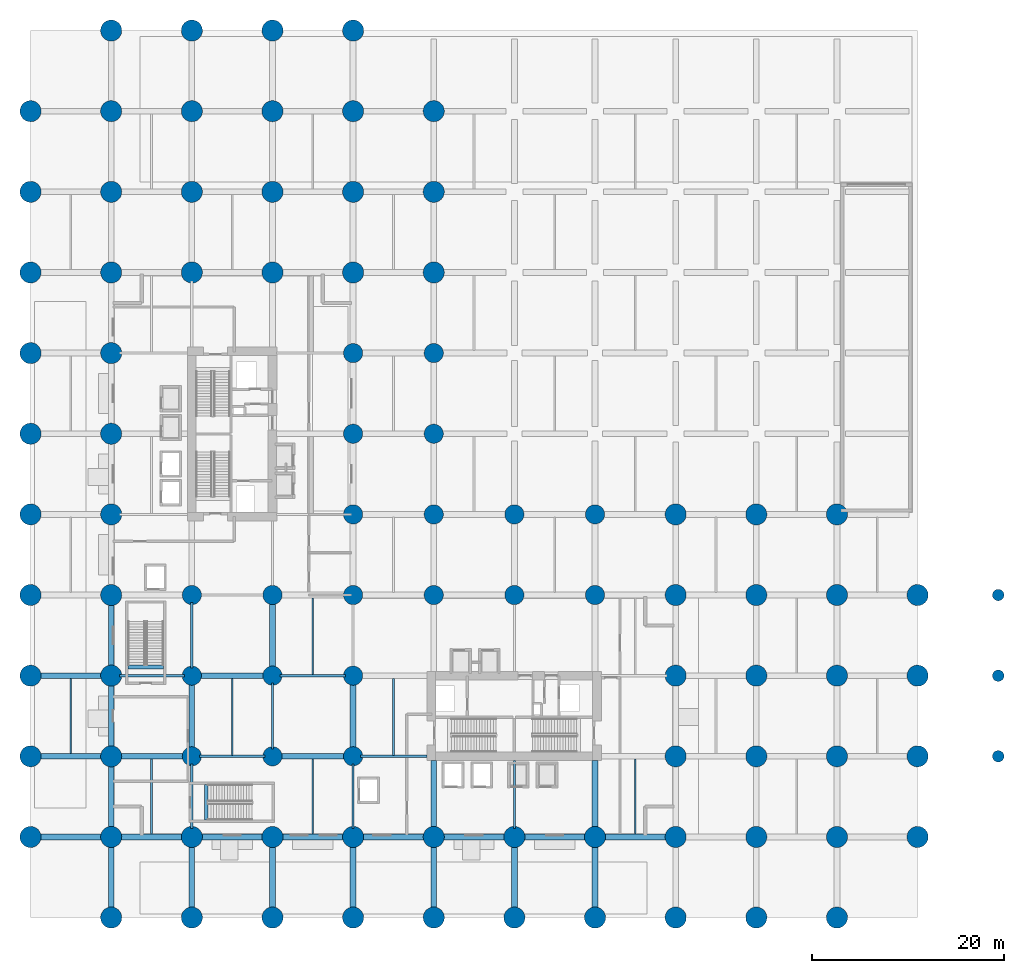
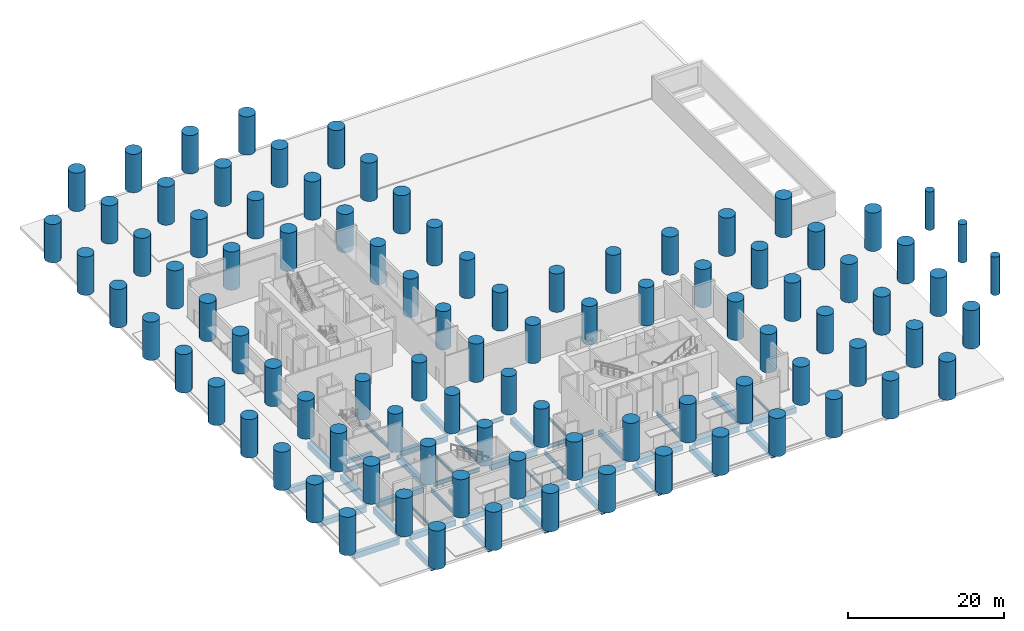
# One storey, part 1 of 13: 94 columns, 46 beams.
"""IFC4 building model written with IfcOpenShell, lengths in metres."""

from ifc_helpers import new_model, si_unit, direction, frame, origin, origin_2d, place, context, subcontext, project, spatial, rectangle, circle, i_section, extrude, material, material_profile, profile_set, type_object, element, save


model = new_model("IFC4")

# Units and contexts
model_context = context("Model", 3, precision=1e-05, world=origin(), true_north=direction((0.0, 1.0)))
body_context = subcontext(model_context, "Body", "Model", "MODEL_VIEW")
ifc_project = project(units=[si_unit("LENGTHUNIT", "METRE"), si_unit("AREAUNIT", "SQUARE_METRE"), si_unit("VOLUMEUNIT", "CUBIC_METRE"), si_unit("PLANEANGLEUNIT", "RADIAN"), si_unit("MASSUNIT", "GRAM", prefix="KILO")], contexts=[model_context])

# Site, building, storey
site_placement = place(None, origin())
site = spatial("IfcSite", under=ifc_project, at=site_placement, CompositionType="ELEMENT")
building_placement = place(site_placement, origin())
building = spatial("IfcBuilding", under=site, at=building_placement, Name="Koriwani Terraces Tower", CompositionType="ELEMENT")
storey_placement = place(building_placement, origin())
storey = spatial("IfcBuildingStorey", under=building, at=storey_placement, Name="L00", CompositionType="ELEMENT", Elevation=0.0)

# Columns
ifc_material_1 = material(Name="Concrete C50/60", Category="concrete")
ifc_material_profile_1 = material_profile(ifc_material_1, circle(Radius=0.60009765625, at=origin_2d()), Name="Concrete C50/60", Category="LoadBearing")
ifc_profile_set_1 = profile_set([ifc_material_profile_1], Name="Concrete C50/60")
column_type_1 = type_object("IfcColumnType", Name="COL_RC_1200_RND", PredefinedType="COLUMN", material=ifc_profile_set_1)
for number, where, z_axis, x_axis, name in (
    (1, (100.800048828125, 16.800048828125, 0.0), (0.0, 0.0, 1.0), (1.0, 0.0, 0.0), "L00 Porte-Cochere Column PC-1"),
    (2, (100.800048828125, 25.199951171875, 0.0), (0.0, 0.0, 1.0), (1.0, 0.0, 0.0), "L00 Porte-Cochere Column PC-2"),
    (3, (100.800048828125, 33.60009765625, 0.0), (0.0, 0.0, 1.0), (1.0, 0.0, 0.0), "L00 Porte-Cochere Column PC-3"),
):
    element("IfcColumn", number, at=place(storey_placement, frame(where, z_axis=z_axis, x_axis=x_axis)), inside=storey, type_object=column_type_1, Name=name, PredefinedType="COLUMN", context=body_context, shape_type="SweptSolid", body=[
        extrude(circle(Radius=0.60009765625, at=origin_2d()), origin(), (0.0, 0.0, 1.0), 6.0),
    ])
ifc_material_2 = material(Name="Concrete C60/75", Category="concrete")
ifc_material_profile_2 = material_profile(ifc_material_2, circle(Radius=1.0, at=origin_2d()), Name="Concrete C60/75", Category="LoadBearing")
ifc_profile_set_2 = profile_set([ifc_material_profile_2], Name="Concrete C60/75")
column_type_2 = type_object("IfcColumnType", Name="PILOTIS_2000", PredefinedType="USERDEFINED", material=ifc_profile_set_2)
for number, where, z_axis, x_axis, name in (
    (4, (16.800048828125, 16.800048828125, 0.0), (0.0, 0.0, 1.0), (1.0, 0.0, 0.0), "L00 Pilotis Column 3/C"),
    (5, (16.800048828125, 25.199951171875, 0.0), (0.0, 0.0, 1.0), (1.0, 0.0, 0.0), "L00 Pilotis Column 3/D"),
    (6, (16.800048828125, 33.60009765625, 0.0), (0.0, 0.0, 1.0), (1.0, 0.0, 0.0), "L00 Pilotis Column 3/E"),
    (7, (25.199951171875, 16.800048828125, 0.0), (0.0, 0.0, 1.0), (1.0, 0.0, 0.0), "L00 Pilotis Column 4/C"),
    (8, (25.199951171875, 25.199951171875, 0.0), (0.0, 0.0, 1.0), (1.0, 0.0, 0.0), "L00 Pilotis Column 4/D"),
    (9, (25.199951171875, 33.60009765625, 0.0), (0.0, 0.0, 1.0), (1.0, 0.0, 0.0), "L00 Pilotis Column 4/E"),
    (10, (33.60009765625, 16.800048828125, 0.0), (0.0, 0.0, 1.0), (1.0, 0.0, 0.0), "L00 Pilotis Column 5/C"),
    (11, (33.60009765625, 25.199951171875, 0.0), (0.0, 0.0, 1.0), (1.0, 0.0, 0.0), "L00 Pilotis Column 5/D"),
    (12, (33.60009765625, 33.60009765625, 0.0), (0.0, 0.0, 1.0), (1.0, 0.0, 0.0), "L00 Pilotis Column 5/E"),
    (13, (33.60009765625, 42.0, 0.0), (0.0, 0.0, 1.0), (1.0, 0.0, 0.0), "L00 Pilotis Column 5/F"),
    (14, (33.60009765625, 50.39990234375, 0.0), (0.0, 0.0, 1.0), (1.0, 0.0, 0.0), "L00 Pilotis Column 5/G"),
    (15, (33.60009765625, 58.800048828125, 0.0), (0.0, 0.0, 1.0), (1.0, 0.0, 0.0), "L00 Pilotis Column 5/H"),
    (16, (42.0, 33.60009765625, 0.0), (0.0, 0.0, 1.0), (1.0, 0.0, 0.0), "L00 Pilotis Column 6/E"),
    (17, (42.0, 42.0, 0.0), (0.0, 0.0, 1.0), (1.0, 0.0, 0.0), "L00 Pilotis Column 6/F"),
    (18, (42.0, 50.39990234375, 0.0), (0.0, 0.0, 1.0), (1.0, 0.0, 0.0), "L00 Pilotis Column 6/G"),
    (19, (42.0, 58.800048828125, 0.0), (0.0, 0.0, 1.0), (1.0, 0.0, 0.0), "L00 Pilotis Column 6/H"),
    (20, (50.39990234375, 33.60009765625, 0.0), (0.0, 0.0, 1.0), (1.0, 0.0, 0.0), "L00 Pilotis Column 7/E"),
    (21, (50.39990234375, 42.0, 0.0), (0.0, 0.0, 1.0), (1.0, 0.0, 0.0), "L00 Pilotis Column 7/F"),
    (22, (58.800048828125, 33.60009765625, 0.0), (0.0, 0.0, 1.0), (1.0, 0.0, 0.0), "L00 Pilotis Column 8/E"),
    (23, (58.800048828125, 42.0, 0.0), (0.0, 0.0, 1.0), (1.0, 0.0, 0.0), "L00 Pilotis Column 8/F"),
):
    element("IfcColumn", number, at=place(storey_placement, frame(where, z_axis=z_axis, x_axis=x_axis)), inside=storey, type_object=column_type_2, Name=name, ObjectType="PILOTIS", PredefinedType="USERDEFINED", context=body_context, shape_type="SweptSolid", body=[
        extrude(circle(Radius=1.0, at=origin_2d()), origin(), (0.0, 0.0, 1.0), 6.0),
    ])
ifc_material_profile_3 = material_profile(ifc_material_2, circle(Radius=1.10009765625, at=origin_2d()), Name="Concrete C60/75", Category="LoadBearing")
ifc_profile_set_3 = profile_set([ifc_material_profile_3], Name="Concrete C60/75")
column_type_3 = type_object("IfcColumnType", Name="PILOTIS_2200", PredefinedType="USERDEFINED", material=ifc_profile_set_3)
for number, where, z_axis, x_axis, name in (
    (24, (0.0, 8.39990234375, 0.0), (0.0, 0.0, 1.0), (1.0, 0.0, 0.0), "L00 Pilotis Column 1/B"),
    (25, (0.0, 16.800048828125, 0.0), (0.0, 0.0, 1.0), (1.0, 0.0, 0.0), "L00 Pilotis Column 1/C"),
    (26, (0.0, 25.199951171875, 0.0), (0.0, 0.0, 1.0), (1.0, 0.0, 0.0), "L00 Pilotis Column 1/D"),
    (27, (0.0, 33.60009765625, 0.0), (0.0, 0.0, 1.0), (1.0, 0.0, 0.0), "L00 Pilotis Column 1/E"),
    (28, (0.0, 42.0, 0.0), (0.0, 0.0, 1.0), (1.0, 0.0, 0.0), "L00 Pilotis Column 1/F"),
    (29, (0.0, 50.39990234375, 0.0), (0.0, 0.0, 1.0), (1.0, 0.0, 0.0), "L00 Pilotis Column 1/G"),
    (30, (0.0, 58.800048828125, 0.0), (0.0, 0.0, 1.0), (1.0, 0.0, 0.0), "L00 Pilotis Column 1/H"),
    (31, (0.0, 67.199951171875, 0.0), (0.0, 0.0, 1.0), (1.0, 0.0, 0.0), "L00 Pilotis Column 1/I"),
    (32, (0.0, 75.60009765625, 0.0), (0.0, 0.0, 1.0), (1.0, 0.0, 0.0), "L00 Pilotis Column 1/J"),
    (33, (0.0, 84.0, 0.0), (0.0, 0.0, 1.0), (1.0, 0.0, 0.0), "L00 Pilotis Column 1/K"),
    (34, (8.39990234375, 0.0, 0.0), (0.0, 0.0, 1.0), (1.0, 0.0, 0.0), "L00 Pilotis Column 2/A"),
    (35, (8.39990234375, 8.39990234375, 0.0), (0.0, 0.0, 1.0), (1.0, 0.0, 0.0), "L00 Pilotis Column 2/B"),
    (36, (8.39990234375, 16.800048828125, 0.0), (0.0, 0.0, 1.0), (1.0, 0.0, 0.0), "L00 Pilotis Column 2/C"),
    (37, (8.39990234375, 25.199951171875, 0.0), (0.0, 0.0, 1.0), (1.0, 0.0, 0.0), "L00 Pilotis Column 2/D"),
    (38, (8.39990234375, 33.60009765625, 0.0), (0.0, 0.0, 1.0), (1.0, 0.0, 0.0), "L00 Pilotis Column 2/E"),
    (39, (8.39990234375, 42.0, 0.0), (0.0, 0.0, 1.0), (1.0, 0.0, 0.0), "L00 Pilotis Column 2/F"),
    (40, (8.39990234375, 50.39990234375, 0.0), (0.0, 0.0, 1.0), (1.0, 0.0, 0.0), "L00 Pilotis Column 2/G"),
    (41, (8.39990234375, 58.800048828125, 0.0), (0.0, 0.0, 1.0), (1.0, 0.0, 0.0), "L00 Pilotis Column 2/H"),
    (42, (8.39990234375, 67.199951171875, 0.0), (0.0, 0.0, 1.0), (1.0, 0.0, 0.0), "L00 Pilotis Column 2/I"),
    (43, (8.39990234375, 75.60009765625, 0.0), (0.0, 0.0, 1.0), (1.0, 0.0, 0.0), "L00 Pilotis Column 2/J"),
    (44, (8.39990234375, 84.0, 0.0), (0.0, 0.0, 1.0), (1.0, 0.0, 0.0), "L00 Pilotis Column 2/K"),
    (45, (8.39990234375, 92.39990234375, 0.0), (0.0, 0.0, 1.0), (1.0, 0.0, 0.0), "L00 Pilotis Column 2/L"),
    (46, (16.800048828125, 0.0, 0.0), (0.0, 0.0, 1.0), (1.0, 0.0, 0.0), "L00 Pilotis Column 3/A"),
    (47, (16.800048828125, 8.39990234375, 0.0), (0.0, 0.0, 1.0), (1.0, 0.0, 0.0), "L00 Pilotis Column 3/B"),
    (48, (16.800048828125, 67.199951171875, 0.0), (0.0, 0.0, 1.0), (1.0, 0.0, 0.0), "L00 Pilotis Column 3/I"),
    (49, (16.800048828125, 75.60009765625, 0.0), (0.0, 0.0, 1.0), (1.0, 0.0, 0.0), "L00 Pilotis Column 3/J"),
    (50, (16.800048828125, 84.0, 0.0), (0.0, 0.0, 1.0), (1.0, 0.0, 0.0), "L00 Pilotis Column 3/K"),
    (51, (16.800048828125, 92.39990234375, 0.0), (0.0, 0.0, 1.0), (1.0, 0.0, 0.0), "L00 Pilotis Column 3/L"),
    (52, (25.199951171875, 0.0, 0.0), (0.0, 0.0, 1.0), (1.0, 0.0, 0.0), "L00 Pilotis Column 4/A"),
    (53, (25.199951171875, 8.39990234375, 0.0), (0.0, 0.0, 1.0), (1.0, 0.0, 0.0), "L00 Pilotis Column 4/B"),
    (54, (25.199951171875, 67.199951171875, 0.0), (0.0, 0.0, 1.0), (1.0, 0.0, 0.0), "L00 Pilotis Column 4/I"),
    (55, (25.199951171875, 75.60009765625, 0.0), (0.0, 0.0, 1.0), (1.0, 0.0, 0.0), "L00 Pilotis Column 4/J"),
    (56, (25.199951171875, 84.0, 0.0), (0.0, 0.0, 1.0), (1.0, 0.0, 0.0), "L00 Pilotis Column 4/K"),
    (57, (25.199951171875, 92.39990234375, 0.0), (0.0, 0.0, 1.0), (1.0, 0.0, 0.0), "L00 Pilotis Column 4/L"),
    (58, (33.60009765625, 0.0, 0.0), (0.0, 0.0, 1.0), (1.0, 0.0, 0.0), "L00 Pilotis Column 5/A"),
    (59, (33.60009765625, 8.39990234375, 0.0), (0.0, 0.0, 1.0), (1.0, 0.0, 0.0), "L00 Pilotis Column 5/B"),
    (60, (33.60009765625, 67.199951171875, 0.0), (0.0, 0.0, 1.0), (1.0, 0.0, 0.0), "L00 Pilotis Column 5/I"),
    (61, (33.60009765625, 75.60009765625, 0.0), (0.0, 0.0, 1.0), (1.0, 0.0, 0.0), "L00 Pilotis Column 5/J"),
    (62, (33.60009765625, 84.0, 0.0), (0.0, 0.0, 1.0), (1.0, 0.0, 0.0), "L00 Pilotis Column 5/K"),
    (63, (33.60009765625, 92.39990234375, 0.0), (0.0, 0.0, 1.0), (1.0, 0.0, 0.0), "L00 Pilotis Column 5/L"),
    (64, (42.0, 0.0, 0.0), (0.0, 0.0, 1.0), (1.0, 0.0, 0.0), "L00 Pilotis Column 6/A"),
    (65, (42.0, 8.39990234375, 0.0), (0.0, 0.0, 1.0), (1.0, 0.0, 0.0), "L00 Pilotis Column 6/B"),
    (66, (42.0, 67.199951171875, 0.0), (0.0, 0.0, 1.0), (1.0, 0.0, 0.0), "L00 Pilotis Column 6/I"),
    (67, (42.0, 75.60009765625, 0.0), (0.0, 0.0, 1.0), (1.0, 0.0, 0.0), "L00 Pilotis Column 6/J"),
    (68, (42.0, 84.0, 0.0), (0.0, 0.0, 1.0), (1.0, 0.0, 0.0), "L00 Pilotis Column 6/K"),
    (69, (50.39990234375, 0.0, 0.0), (0.0, 0.0, 1.0), (1.0, 0.0, 0.0), "L00 Pilotis Column 7/A"),
    (70, (50.39990234375, 8.39990234375, 0.0), (0.0, 0.0, 1.0), (1.0, 0.0, 0.0), "L00 Pilotis Column 7/B"),
    (71, (58.800048828125, 0.0, 0.0), (0.0, 0.0, 1.0), (1.0, 0.0, 0.0), "L00 Pilotis Column 8/A"),
    (72, (58.800048828125, 8.39990234375, 0.0), (0.0, 0.0, 1.0), (1.0, 0.0, 0.0), "L00 Pilotis Column 8/B"),
    (73, (67.199951171875, 0.0, 0.0), (0.0, 0.0, 1.0), (1.0, 0.0, 0.0), "L00 Pilotis Column 9/A"),
    (74, (67.199951171875, 8.39990234375, 0.0), (0.0, 0.0, 1.0), (1.0, 0.0, 0.0), "L00 Pilotis Column 9/B"),
    (75, (67.199951171875, 16.800048828125, 0.0), (0.0, 0.0, 1.0), (1.0, 0.0, 0.0), "L00 Pilotis Column 9/C"),
    (76, (67.199951171875, 25.199951171875, 0.0), (0.0, 0.0, 1.0), (1.0, 0.0, 0.0), "L00 Pilotis Column 9/D"),
    (77, (67.199951171875, 33.60009765625, 0.0), (0.0, 0.0, 1.0), (1.0, 0.0, 0.0), "L00 Pilotis Column 9/E"),
    (78, (67.199951171875, 42.0, 0.0), (0.0, 0.0, 1.0), (1.0, 0.0, 0.0), "L00 Pilotis Column 9/F"),
    (79, (75.60009765625, 0.0, 0.0), (0.0, 0.0, 1.0), (1.0, 0.0, 0.0), "L00 Pilotis Column 10/A"),
    (80, (75.60009765625, 8.39990234375, 0.0), (0.0, 0.0, 1.0), (1.0, 0.0, 0.0), "L00 Pilotis Column 10/B"),
    (81, (75.60009765625, 16.800048828125, 0.0), (0.0, 0.0, 1.0), (1.0, 0.0, 0.0), "L00 Pilotis Column 10/C"),
    (82, (75.60009765625, 25.199951171875, 0.0), (0.0, 0.0, 1.0), (1.0, 0.0, 0.0), "L00 Pilotis Column 10/D"),
    (83, (75.60009765625, 33.60009765625, 0.0), (0.0, 0.0, 1.0), (1.0, 0.0, 0.0), "L00 Pilotis Column 10/E"),
    (84, (75.60009765625, 42.0, 0.0), (0.0, 0.0, 1.0), (1.0, 0.0, 0.0), "L00 Pilotis Column 10/F"),
    (85, (84.0, 0.0, 0.0), (0.0, 0.0, 1.0), (1.0, 0.0, 0.0), "L00 Pilotis Column 11/A"),
    (86, (84.0, 8.39990234375, 0.0), (0.0, 0.0, 1.0), (1.0, 0.0, 0.0), "L00 Pilotis Column 11/B"),
    (87, (84.0, 16.800048828125, 0.0), (0.0, 0.0, 1.0), (1.0, 0.0, 0.0), "L00 Pilotis Column 11/C"),
    (88, (84.0, 25.199951171875, 0.0), (0.0, 0.0, 1.0), (1.0, 0.0, 0.0), "L00 Pilotis Column 11/D"),
    (89, (84.0, 33.60009765625, 0.0), (0.0, 0.0, 1.0), (1.0, 0.0, 0.0), "L00 Pilotis Column 11/E"),
    (90, (84.0, 42.0, 0.0), (0.0, 0.0, 1.0), (1.0, 0.0, 0.0), "L00 Pilotis Column 11/F"),
    (91, (92.39990234375, 8.39990234375, 0.0), (0.0, 0.0, 1.0), (1.0, 0.0, 0.0), "L00 Pilotis Column 12/B"),
    (92, (92.39990234375, 16.800048828125, 0.0), (0.0, 0.0, 1.0), (1.0, 0.0, 0.0), "L00 Pilotis Column 12/C"),
    (93, (92.39990234375, 25.199951171875, 0.0), (0.0, 0.0, 1.0), (1.0, 0.0, 0.0), "L00 Pilotis Column 12/D"),
    (94, (92.39990234375, 33.60009765625, 0.0), (0.0, 0.0, 1.0), (1.0, 0.0, 0.0), "L00 Pilotis Column 12/E"),
):
    element("IfcColumn", number, at=place(storey_placement, frame(where, z_axis=z_axis, x_axis=x_axis)), inside=storey, type_object=column_type_3, Name=name, ObjectType="PILOTIS", PredefinedType="USERDEFINED", context=body_context, shape_type="SweptSolid", body=[
        extrude(circle(Radius=1.10009765625, at=origin_2d()), origin(), (0.0, 0.0, 1.0), 6.0),
    ])

# Beams
ifc_material_3 = material(Name="Concrete C40/50", Category="concrete")
ifc_material_profile_4 = material_profile(ifc_material_3, rectangle(XDim=0.39990234375, YDim=0.60009765625, at=origin_2d()), Name="Concrete C40/50", Category="LoadBearing")
ifc_profile_set_4 = profile_set([ifc_material_profile_4], Name="Concrete C40/50")
beam_type_1 = type_object("IfcBeamType", Name="BEAM_RC_GRID_400X600", PredefinedType="BEAM", material=ifc_profile_set_4)
for number, where, z_axis, x_axis, name in (
    (95, (10.14990234375, 26.10498046875, -0.300048828125), (1.0, 0.0, 0.0), (0.0, 1.0, 0.0), "L00 Stairwell Header Trimmer Beam ST-P1"),
    (96, (18.304931640625, 10.14990234375, -0.300048828125), (0.0, 1.0, 0.0), (-1.0, 0.0, 0.0), "L00 Stairwell Header Trimmer Beam ST-P2"),
):
    element("IfcBeam", number, at=place(storey_placement, frame(where, z_axis=z_axis, x_axis=x_axis)), inside=storey, type_object=beam_type_1, Name=name, PredefinedType="BEAM", context=body_context, shape_type="SweptSolid", body=[
        extrude(rectangle(XDim=0.39990234375, YDim=0.60009765625, at=origin_2d()), origin(), (0.0, 0.0, 1.0), 3.7001953125),
    ])
ifc_material_profile_5 = material_profile(ifc_material_2, rectangle(XDim=0.60009765625, YDim=0.85009765625, at=origin_2d()), Name="Concrete C60/75", Category="LoadBearing")
ifc_profile_set_5 = profile_set([ifc_material_profile_5], Name="Concrete C60/75")
beam_type_2 = type_object("IfcBeamType", Name="BEAM_RC_GRID_600X850", PredefinedType="BEAM", material=ifc_profile_set_5)
beam_1_placement = place(storey_placement, frame((9.280029296875, 16.800048828125, -1.0048828125), z_axis=(1.0, 0.0, 0.0), x_axis=(0.0, 1.0, 0.0)))
element("IfcBeam", 97, at=beam_1_placement, inside=storey, type_object=beam_type_2, Name="L00 Grid Beam C (8.4-16.8m)", PredefinedType="BEAM", context=body_context, shape_type="SweptSolid", body=[
    extrude(rectangle(XDim=0.60009765625, YDim=0.85009765625, at=origin_2d()), origin(), (0.0, 0.0, 1.0), 6.739990234375),
])
beam_2_placement = place(storey_placement, frame((25.97998046875, 16.800048828125, -1.0048828125), z_axis=(1.0, 0.0, 0.0), x_axis=(0.0, 1.0, 0.0)))
element("IfcBeam", 98, at=beam_2_placement, inside=storey, type_object=beam_type_2, Name="L00 Grid Beam C (25.2-33.6m)", PredefinedType="BEAM", context=body_context, shape_type="SweptSolid", body=[
    extrude(rectangle(XDim=0.60009765625, YDim=0.85009765625, at=origin_2d()), origin(), (0.0, 0.0, 1.0), 6.840087890625),
])
for number, where, z_axis, x_axis, name in (
    (99, (17.580078125, 25.199951171875, -1.0048828125), (1.0, 0.0, 0.0), (0.0, 1.0, 0.0), "L00 Grid Beam D (16.8-25.2m)"),
    (100, (16.800048828125, 17.580078125, -1.0048828125), (0.0, 1.0, 0.0), (-1.0, 0.0, 0.0), "L00 Grid Beam 3 (16.8-25.2m)"),
):
    element("IfcBeam", number, at=place(storey_placement, frame(where, z_axis=z_axis, x_axis=x_axis)), inside=storey, type_object=beam_type_2, Name=name, PredefinedType="BEAM", context=body_context, shape_type="SweptSolid", body=[
        extrude(rectangle(XDim=0.60009765625, YDim=0.85009765625, at=origin_2d()), origin(), (0.0, 0.0, 1.0), 6.83984375),
    ])
beam_3_placement = place(storey_placement, frame((25.199951171875, 25.97998046875, -1.0048828125), z_axis=(0.0, 1.0, 0.0), x_axis=(-1.0, 0.0, 0.0)))
element("IfcBeam", 101, at=beam_3_placement, inside=storey, type_object=beam_type_2, Name="L00 Grid Beam 4 (25.2-33.6m)", PredefinedType="BEAM", context=body_context, shape_type="SweptSolid", body=[
    extrude(rectangle(XDim=0.60009765625, YDim=0.85009765625, at=origin_2d()), origin(), (0.0, 0.0, 1.0), 6.840087890625),
])
beam_4_placement = place(storey_placement, frame((33.60009765625, 17.580078125, -1.0048828125), z_axis=(0.0, 1.0, 0.0), x_axis=(-1.0, 0.0, 0.0)))
element("IfcBeam", 102, at=beam_4_placement, inside=storey, type_object=beam_type_2, Name="L00 Grid Beam 5 (16.8-25.2m)", PredefinedType="BEAM", context=body_context, shape_type="SweptSolid", body=[
    extrude(rectangle(XDim=0.60009765625, YDim=0.85009765625, at=origin_2d()), origin(), (0.0, 0.0, 1.0), 6.83984375),
])
for number, where, z_axis, x_axis, name in (
    (103, (42.0, 9.280029296875, -1.0048828125), (0.0, 1.0, 0.0), (-1.0, 0.0, 0.0), "L00 Grid Beam 6 (8.4-16.8m)"),
    (104, (58.800048828125, 9.280029296875, -1.0048828125), (0.0, 1.0, 0.0), (-1.0, 0.0, 0.0), "L00 Grid Beam 8 (8.4-16.8m)"),
):
    element("IfcBeam", number, at=place(storey_placement, frame(where, z_axis=z_axis, x_axis=x_axis)), inside=storey, type_object=beam_type_2, Name=name, PredefinedType="BEAM", context=body_context, shape_type="SweptSolid", body=[
        extrude(rectangle(XDim=0.60009765625, YDim=0.85009765625, at=origin_2d()), origin(), (0.0, 0.0, 1.0), 7.090087890625),
    ])
ifc_material_profile_6 = material_profile(ifc_material_2, rectangle(XDim=0.60009765625, YDim=0.89990234375, at=origin_2d()), Name="Concrete C60/75", Category="LoadBearing")
ifc_profile_set_6 = profile_set([ifc_material_profile_6], Name="Concrete C60/75")
beam_type_3 = type_object("IfcBeamType", Name="BEAM_RC_SPANDREL_600X900", PredefinedType="SPANDREL", material=ifc_profile_set_6)
beam_5_placement = place(storey_placement, frame((0.8798828125, 8.39990234375, -1.030029296875), z_axis=(1.0, 0.0, 0.0), x_axis=(0.0, 1.0, 0.0)))
element("IfcBeam", 105, at=beam_5_placement, inside=storey, type_object=beam_type_3, Name="L00 Spandrel Beam B (0.0-8.4m)", PredefinedType="SPANDREL", context=body_context, shape_type="SweptSolid", body=[
    extrude(rectangle(XDim=0.60009765625, YDim=0.89990234375, at=origin_2d()), origin(), (0.0, 0.0, 1.0), 6.64013671875),
])
beam_6_placement = place(storey_placement, frame((9.280029296875, 8.39990234375, -1.030029296875), z_axis=(1.0, 0.0, 0.0), x_axis=(0.0, 1.0, 0.0)))
element("IfcBeam", 106, at=beam_6_placement, inside=storey, type_object=beam_type_3, Name="L00 Spandrel Beam B (8.4-16.8m)", PredefinedType="SPANDREL", context=body_context, shape_type="SweptSolid", body=[
    extrude(rectangle(XDim=0.60009765625, YDim=0.89990234375, at=origin_2d()), origin(), (0.0, 0.0, 1.0), 6.639892578125),
])
beam_7_placement = place(storey_placement, frame((17.679931640625, 8.39990234375, -1.030029296875), z_axis=(1.0, 0.0, 0.0), x_axis=(0.0, 1.0, 0.0)))
element("IfcBeam", 107, at=beam_7_placement, inside=storey, type_object=beam_type_3, Name="L00 Spandrel Beam B (16.8-25.2m)", PredefinedType="SPANDREL", context=body_context, shape_type="SweptSolid", body=[
    extrude(rectangle(XDim=0.60009765625, YDim=0.89990234375, at=origin_2d()), origin(), (0.0, 0.0, 1.0), 6.64013671875),
])
beam_8_placement = place(storey_placement, frame((26.080078125, 8.39990234375, -1.030029296875), z_axis=(1.0, 0.0, 0.0), x_axis=(0.0, 1.0, 0.0)))
element("IfcBeam", 108, at=beam_8_placement, inside=storey, type_object=beam_type_3, Name="L00 Spandrel Beam B (25.2-33.6m)", PredefinedType="SPANDREL", context=body_context, shape_type="SweptSolid", body=[
    extrude(rectangle(XDim=0.60009765625, YDim=0.89990234375, at=origin_2d()), origin(), (0.0, 0.0, 1.0), 6.639892578125),
])
for number, where, z_axis, x_axis, name in (
    (109, (34.47998046875, 8.39990234375, -1.030029296875), (1.0, 0.0, 0.0), (0.0, 1.0, 0.0), "L00 Spandrel Beam B (33.6-42.0m)"),
    (110, (42.8798828125, 8.39990234375, -1.030029296875), (1.0, 0.0, 0.0), (0.0, 1.0, 0.0), "L00 Spandrel Beam B (42.0-50.4m)"),
):
    element("IfcBeam", number, at=place(storey_placement, frame(where, z_axis=z_axis, x_axis=x_axis)), inside=storey, type_object=beam_type_3, Name=name, PredefinedType="SPANDREL", context=body_context, shape_type="SweptSolid", body=[
        extrude(rectangle(XDim=0.60009765625, YDim=0.89990234375, at=origin_2d()), origin(), (0.0, 0.0, 1.0), 6.64013671875),
    ])
beam_9_placement = place(storey_placement, frame((51.280029296875, 8.39990234375, -1.030029296875), z_axis=(1.0, 0.0, 0.0), x_axis=(0.0, 1.0, 0.0)))
element("IfcBeam", 111, at=beam_9_placement, inside=storey, type_object=beam_type_3, Name="L00 Spandrel Beam B (50.4-58.8m)", PredefinedType="SPANDREL", context=body_context, shape_type="SweptSolid", body=[
    extrude(rectangle(XDim=0.60009765625, YDim=0.89990234375, at=origin_2d()), origin(), (0.0, 0.0, 1.0), 6.639892578125),
])
for number, where, z_axis, x_axis, name in (
    (112, (59.679931640625, 8.39990234375, -1.030029296875), (1.0, 0.0, 0.0), (0.0, 1.0, 0.0), "L00 Spandrel Beam B (58.8-67.2m)"),
    (113, (0.8798828125, 16.800048828125, -1.030029296875), (1.0, 0.0, 0.0), (0.0, 1.0, 0.0), "L00 Spandrel Beam C (0.0-8.4m)"),
    (114, (0.8798828125, 25.199951171875, -1.030029296875), (1.0, 0.0, 0.0), (0.0, 1.0, 0.0), "L00 Spandrel Beam D (0.0-8.4m)"),
    (115, (8.39990234375, 0.8798828125, -1.030029296875), (0.0, 1.0, 0.0), (-1.0, 0.0, 0.0), "L00 Spandrel Beam 2 (0.0-8.4m)"),
):
    element("IfcBeam", number, at=place(storey_placement, frame(where, z_axis=z_axis, x_axis=x_axis)), inside=storey, type_object=beam_type_3, Name=name, PredefinedType="SPANDREL", context=body_context, shape_type="SweptSolid", body=[
        extrude(rectangle(XDim=0.60009765625, YDim=0.89990234375, at=origin_2d()), origin(), (0.0, 0.0, 1.0), 6.64013671875),
    ])
beam_10_placement = place(storey_placement, frame((8.39990234375, 9.280029296875, -1.030029296875), z_axis=(0.0, 1.0, 0.0), x_axis=(-1.0, 0.0, 0.0)))
element("IfcBeam", 116, at=beam_10_placement, inside=storey, type_object=beam_type_3, Name="L00 Spandrel Beam 2 (8.4-16.8m)", PredefinedType="SPANDREL", context=body_context, shape_type="SweptSolid", body=[
    extrude(rectangle(XDim=0.60009765625, YDim=0.89990234375, at=origin_2d()), origin(), (0.0, 0.0, 1.0), 6.639892578125),
])
beam_11_placement = place(storey_placement, frame((8.39990234375, 17.679931640625, -1.030029296875), z_axis=(0.0, 1.0, 0.0), x_axis=(-1.0, 0.0, 0.0)))
element("IfcBeam", 117, at=beam_11_placement, inside=storey, type_object=beam_type_3, Name="L00 Spandrel Beam 2 (16.8-25.2m)", PredefinedType="SPANDREL", context=body_context, shape_type="SweptSolid", body=[
    extrude(rectangle(XDim=0.60009765625, YDim=0.89990234375, at=origin_2d()), origin(), (0.0, 0.0, 1.0), 6.64013671875),
])
beam_12_placement = place(storey_placement, frame((8.39990234375, 26.080078125, -1.030029296875), z_axis=(0.0, 1.0, 0.0), x_axis=(-1.0, 0.0, 0.0)))
element("IfcBeam", 118, at=beam_12_placement, inside=storey, type_object=beam_type_3, Name="L00 Spandrel Beam 2 (25.2-33.6m)", PredefinedType="SPANDREL", context=body_context, shape_type="SweptSolid", body=[
    extrude(rectangle(XDim=0.60009765625, YDim=0.89990234375, at=origin_2d()), origin(), (0.0, 0.0, 1.0), 6.639892578125),
])
for number, where, z_axis, x_axis, name in (
    (119, (16.800048828125, 0.8798828125, -1.030029296875), (0.0, 1.0, 0.0), (-1.0, 0.0, 0.0), "L00 Spandrel Beam 3 (0.0-8.4m)"),
    (120, (25.199951171875, 0.8798828125, -1.030029296875), (0.0, 1.0, 0.0), (-1.0, 0.0, 0.0), "L00 Spandrel Beam 4 (0.0-8.4m)"),
    (121, (33.60009765625, 0.8798828125, -1.030029296875), (0.0, 1.0, 0.0), (-1.0, 0.0, 0.0), "L00 Spandrel Beam 5 (0.0-8.4m)"),
    (122, (42.0, 0.8798828125, -1.030029296875), (0.0, 1.0, 0.0), (-1.0, 0.0, 0.0), "L00 Spandrel Beam 6 (0.0-8.4m)"),
    (123, (50.39990234375, 0.8798828125, -1.030029296875), (0.0, 1.0, 0.0), (-1.0, 0.0, 0.0), "L00 Spandrel Beam 7 (0.0-8.4m)"),
    (124, (58.800048828125, 0.8798828125, -1.030029296875), (0.0, 1.0, 0.0), (-1.0, 0.0, 0.0), "L00 Spandrel Beam 8 (0.0-8.4m)"),
):
    element("IfcBeam", number, at=place(storey_placement, frame(where, z_axis=z_axis, x_axis=x_axis)), inside=storey, type_object=beam_type_3, Name=name, PredefinedType="SPANDREL", context=body_context, shape_type="SweptSolid", body=[
        extrude(rectangle(XDim=0.60009765625, YDim=0.89990234375, at=origin_2d()), origin(), (0.0, 0.0, 1.0), 6.64013671875),
    ])
ifc_material_4 = material(Name="Steel ASTM A572 Grade 50", Category="steel")
ifc_material_profile_7 = material_profile(ifc_material_4, i_section(OverallWidth=0.180908203125, OverallDepth=0.4169921875, WebThickness=0.010986328125, FlangeThickness=0.018310546875, at=origin_2d()), Name="Steel ASTM A572 Grade 50", Category="LoadBearing")
ifc_profile_set_7 = profile_set([ifc_material_profile_7], Name="Steel ASTM A572 Grade 50")
beam_type_4 = type_object("IfcBeamType", Name="STEEL_BEAM_W410X85", PredefinedType="JOIST", material=ifc_profile_set_7)
beam_13_placement = place(storey_placement, frame((4.199951171875, 17.090087890625, -0.78857421875), z_axis=(0.0, 1.0, 0.0), x_axis=(-1.0, 0.0, 0.0)))
element("IfcBeam", 125, at=beam_13_placement, inside=storey, type_object=beam_type_4, Name="L00 Secondary Steel Floor Joist X=4.2m", PredefinedType="JOIST", context=body_context, shape_type="SweptSolid", body=[
    extrude(i_section(OverallWidth=0.180908203125, OverallDepth=0.4169921875, WebThickness=0.010986328125, FlangeThickness=0.018310546875, at=origin_2d()), origin(), (0.0, 0.0, 1.0), 7.81982421875),
])
beam_14_placement = place(storey_placement, frame((12.60009765625, 8.68994140625, -0.78857421875), z_axis=(0.0, 1.0, 0.0), x_axis=(-1.0, 0.0, 0.0)))
element("IfcBeam", 126, at=beam_14_placement, inside=storey, type_object=beam_type_4, Name="L00 Secondary Steel Floor Joist X=12.6m", PredefinedType="JOIST", context=body_context, shape_type="SweptSolid", body=[
    extrude(i_section(OverallWidth=0.180908203125, OverallDepth=0.4169921875, WebThickness=0.010986328125, FlangeThickness=0.018310546875, at=origin_2d()), origin(), (0.0, 0.0, 1.0), 7.820068359375),
])
beam_15_placement = place(storey_placement, frame((21.0, 16.905517578125, -0.78857421875), z_axis=(0.0, 1.0, 0.0), x_axis=(-1.0, 0.0, 0.0)))
element("IfcBeam", 127, at=beam_15_placement, inside=storey, type_object=beam_type_4, Name="L00 Secondary Steel Floor Joist X=21.0m", PredefinedType="JOIST", context=body_context, shape_type="SweptSolid", body=[
    extrude(i_section(OverallWidth=0.180908203125, OverallDepth=0.4169921875, WebThickness=0.010986328125, FlangeThickness=0.018310546875, at=origin_2d()), origin(), (0.0, 0.0, 1.0), 8.00439453125),
])
beam_16_placement = place(storey_placement, frame((29.39990234375, 8.68994140625, -0.78857421875), z_axis=(0.0, 1.0, 0.0), x_axis=(-1.0, 0.0, 0.0)))
element("IfcBeam", 128, at=beam_16_placement, inside=storey, type_object=beam_type_4, Name="L00 Secondary Steel Floor Joist X=29.4m", PredefinedType="JOIST", context=body_context, shape_type="SweptSolid", body=[
    extrude(i_section(OverallWidth=0.180908203125, OverallDepth=0.4169921875, WebThickness=0.010986328125, FlangeThickness=0.018310546875, at=origin_2d()), origin(), (0.0, 0.0, 1.0), 7.820068359375),
])
beam_17_placement = place(storey_placement, frame((29.39990234375, 25.305419921875, -0.78857421875), z_axis=(0.0, 1.0, 0.0), x_axis=(-1.0, 0.0, 0.0)))
element("IfcBeam", 129, at=beam_17_placement, inside=storey, type_object=beam_type_4, Name="L00 Secondary Steel Floor Joist X=29.4m", PredefinedType="JOIST", context=body_context, shape_type="SweptSolid", body=[
    extrude(i_section(OverallWidth=0.180908203125, OverallDepth=0.4169921875, WebThickness=0.010986328125, FlangeThickness=0.018310546875, at=origin_2d()), origin(), (0.0, 0.0, 1.0), 8.004638671875),
])
beam_18_placement = place(storey_placement, frame((37.800048828125, 16.905517578125, -0.78857421875), z_axis=(0.0, 1.0, 0.0), x_axis=(-1.0, 0.0, 0.0)))
element("IfcBeam", 130, at=beam_18_placement, inside=storey, type_object=beam_type_4, Name="L00 Secondary Steel Floor Joist X=37.8m", PredefinedType="JOIST", context=body_context, shape_type="SweptSolid", body=[
    extrude(i_section(OverallWidth=0.180908203125, OverallDepth=0.4169921875, WebThickness=0.010986328125, FlangeThickness=0.018310546875, at=origin_2d()), origin(), (0.0, 0.0, 1.0), 8.00439453125),
])
beam_19_placement = place(storey_placement, frame((63.0, 8.68994140625, -0.78857421875), z_axis=(0.0, 1.0, 0.0), x_axis=(-1.0, 0.0, 0.0)))
element("IfcBeam", 131, at=beam_19_placement, inside=storey, type_object=beam_type_4, Name="L00 Secondary Steel Floor Joist X=63.0m", PredefinedType="JOIST", context=body_context, shape_type="SweptSolid", body=[
    extrude(i_section(OverallWidth=0.180908203125, OverallDepth=0.4169921875, WebThickness=0.010986328125, FlangeThickness=0.018310546875, at=origin_2d()), origin(), (0.0, 0.0, 1.0), 7.820068359375),
])
ifc_material_profile_8 = material_profile(ifc_material_4, i_section(OverallWidth=0.23095703125, OverallDepth=0.616943359375, WebThickness=0.015380859375, FlangeThickness=0.0244140625, at=origin_2d()), Name="Steel ASTM A572 Grade 50", Category="LoadBearing")
ifc_profile_set_8 = profile_set([ifc_material_profile_8], Name="Steel ASTM A572 Grade 50")
beam_type_5 = type_object("IfcBeamType", Name="STEEL_BEAM_W610X195", PredefinedType="BEAM", material=ifc_profile_set_8)
beam_20_placement = place(storey_placement, frame((17.580078125, 16.800048828125, -0.888427734375), z_axis=(1.0, 0.0, 0.0), x_axis=(0.0, 1.0, 0.0)))
element("IfcBeam", 132, at=beam_20_placement, inside=storey, type_object=beam_type_5, Name="L00 Grid Beam C (16.8-25.2m)", PredefinedType="BEAM", context=body_context, shape_type="SweptSolid", body=[
    extrude(i_section(OverallWidth=0.23095703125, OverallDepth=0.616943359375, WebThickness=0.015380859375, FlangeThickness=0.0244140625, at=origin_2d()), origin(), (0.0, 0.0, 1.0), 6.83984375),
])
beam_21_placement = place(storey_placement, frame((34.3798828125, 16.800048828125, -0.888427734375), z_axis=(1.0, 0.0, 0.0), x_axis=(0.0, 1.0, 0.0)))
element("IfcBeam", 133, at=beam_21_placement, inside=storey, type_object=beam_type_5, Name="L00 Grid Beam C (33.6-42.0m)", PredefinedType="BEAM", context=body_context, shape_type="SweptSolid", body=[
    extrude(i_section(OverallWidth=0.23095703125, OverallDepth=0.616943359375, WebThickness=0.015380859375, FlangeThickness=0.0244140625, at=origin_2d()), origin(), (0.0, 0.0, 1.0), 6.940185546875),
])
beam_22_placement = place(storey_placement, frame((9.280029296875, 25.199951171875, -0.888427734375), z_axis=(1.0, 0.0, 0.0), x_axis=(0.0, 1.0, 0.0)))
element("IfcBeam", 134, at=beam_22_placement, inside=storey, type_object=beam_type_5, Name="L00 Grid Beam D (8.4-16.8m)", PredefinedType="BEAM", context=body_context, shape_type="SweptSolid", body=[
    extrude(i_section(OverallWidth=0.23095703125, OverallDepth=0.616943359375, WebThickness=0.015380859375, FlangeThickness=0.0244140625, at=origin_2d()), origin(), (0.0, 0.0, 1.0), 6.739990234375),
])
beam_23_placement = place(storey_placement, frame((25.97998046875, 25.199951171875, -0.888427734375), z_axis=(1.0, 0.0, 0.0), x_axis=(0.0, 1.0, 0.0)))
element("IfcBeam", 135, at=beam_23_placement, inside=storey, type_object=beam_type_5, Name="L00 Grid Beam D (25.2-33.6m)", PredefinedType="BEAM", context=body_context, shape_type="SweptSolid", body=[
    extrude(i_section(OverallWidth=0.23095703125, OverallDepth=0.616943359375, WebThickness=0.015380859375, FlangeThickness=0.0244140625, at=origin_2d()), origin(), (0.0, 0.0, 1.0), 6.840087890625),
])
beam_24_placement = place(storey_placement, frame((16.800048828125, 9.280029296875, -0.888427734375), z_axis=(0.0, 1.0, 0.0), x_axis=(-1.0, 0.0, 0.0)))
element("IfcBeam", 136, at=beam_24_placement, inside=storey, type_object=beam_type_5, Name="L00 Grid Beam 3 (8.4-16.8m)", PredefinedType="BEAM", context=body_context, shape_type="SweptSolid", body=[
    extrude(i_section(OverallWidth=0.23095703125, OverallDepth=0.616943359375, WebThickness=0.015380859375, FlangeThickness=0.0244140625, at=origin_2d()), origin(), (0.0, 0.0, 1.0), 6.739990234375),
])
beam_25_placement = place(storey_placement, frame((16.800048828125, 25.97998046875, -0.888427734375), z_axis=(0.0, 1.0, 0.0), x_axis=(-1.0, 0.0, 0.0)))
element("IfcBeam", 137, at=beam_25_placement, inside=storey, type_object=beam_type_5, Name="L00 Grid Beam 3 (25.2-33.6m)", PredefinedType="BEAM", context=body_context, shape_type="SweptSolid", body=[
    extrude(i_section(OverallWidth=0.23095703125, OverallDepth=0.616943359375, WebThickness=0.015380859375, FlangeThickness=0.0244140625, at=origin_2d()), origin(), (0.0, 0.0, 1.0), 6.840087890625),
])
beam_26_placement = place(storey_placement, frame((25.199951171875, 17.580078125, -0.888427734375), z_axis=(0.0, 1.0, 0.0), x_axis=(-1.0, 0.0, 0.0)))
element("IfcBeam", 138, at=beam_26_placement, inside=storey, type_object=beam_type_5, Name="L00 Grid Beam 4 (16.8-25.2m)", PredefinedType="BEAM", context=body_context, shape_type="SweptSolid", body=[
    extrude(i_section(OverallWidth=0.23095703125, OverallDepth=0.616943359375, WebThickness=0.015380859375, FlangeThickness=0.0244140625, at=origin_2d()), origin(), (0.0, 0.0, 1.0), 6.83984375),
])
beam_27_placement = place(storey_placement, frame((33.60009765625, 9.280029296875, -0.888427734375), z_axis=(0.0, 1.0, 0.0), x_axis=(-1.0, 0.0, 0.0)))
element("IfcBeam", 139, at=beam_27_placement, inside=storey, type_object=beam_type_5, Name="L00 Grid Beam 5 (8.4-16.8m)", PredefinedType="BEAM", context=body_context, shape_type="SweptSolid", body=[
    extrude(i_section(OverallWidth=0.23095703125, OverallDepth=0.616943359375, WebThickness=0.015380859375, FlangeThickness=0.0244140625, at=origin_2d()), origin(), (0.0, 0.0, 1.0), 6.739990234375),
])
beam_28_placement = place(storey_placement, frame((50.39990234375, 9.280029296875, -0.888427734375), z_axis=(0.0, 1.0, 0.0), x_axis=(-1.0, 0.0, 0.0)))
element("IfcBeam", 140, at=beam_28_placement, inside=storey, type_object=beam_type_5, Name="L00 Grid Beam 7 (8.4-16.8m)", PredefinedType="BEAM", context=body_context, shape_type="SweptSolid", body=[
    extrude(i_section(OverallWidth=0.23095703125, OverallDepth=0.616943359375, WebThickness=0.015380859375, FlangeThickness=0.0244140625, at=origin_2d()), origin(), (0.0, 0.0, 1.0), 7.090087890625),
])

save(model, "model.ifc")
